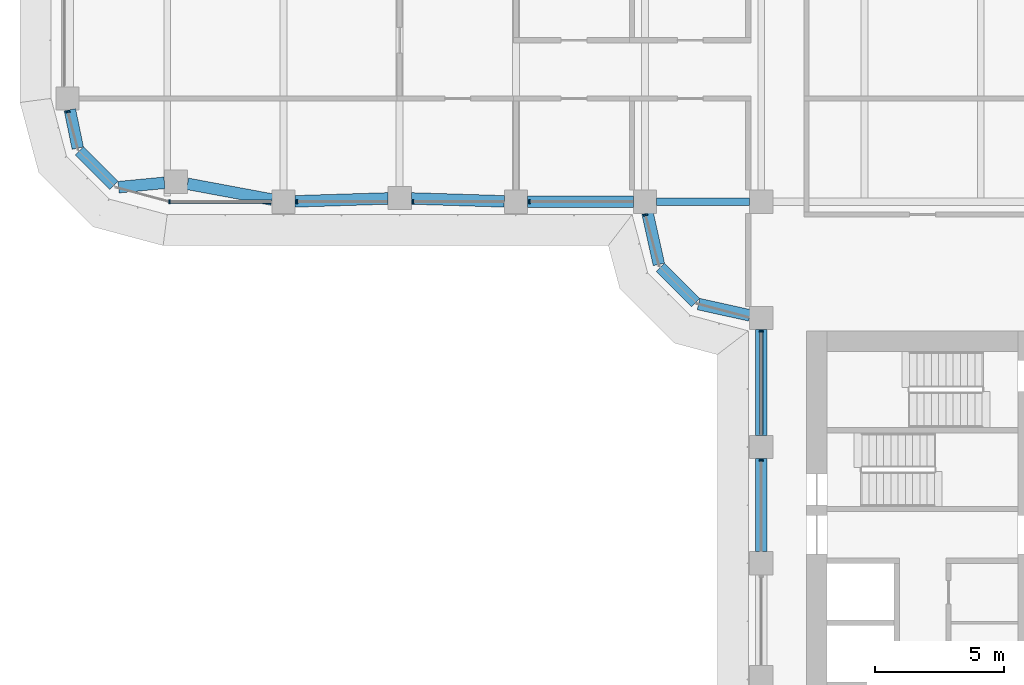
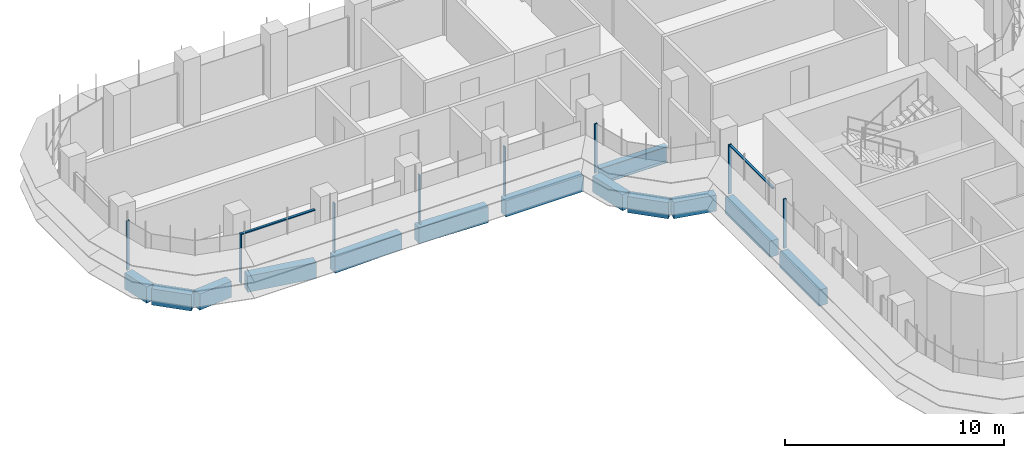
# One storey, part 3 of 22: 13 beams, 10 members, 4 elements without a shape of their own.
"""IFC4 building model written with IfcOpenShell, lengths in metres."""

import ifcopenshell
import ifcopenshell.guid

model = None  # the IFC model being written
_history = None  # IfcOwnerHistory: only IFC2X3 demands one
_inside = {}  # id of a spatial element -> (the spatial element, [elements in it])
_under = {}  # id of a project, library or spatial element -> (it, [spatial elements below it])
_declared = {}  # id of a project -> (the project, [libraries it declares])
_typed = {}  # id of a type object -> (the type object, [elements of that type])
_made_of = {}  # id of a material, layer set ... -> (it, [elements and type objects made of it])


def new_model(schema):
    """Start an empty IFC model of exactly this schema.

    Asked for "IFC4X3", IfcOpenShell would pick the latest addendum, in which some entities
    have other attributes; the version numbers below select the first issue.
    IFC2X3 requires an IfcOwnerHistory on every rooted entity: one is made here for all.
    """
    global model, _history
    if schema == "IFC4X3":
        model = ifcopenshell.file(schema_version=(4, 3, 0, 0))
    else:
        model = ifcopenshell.file(schema=schema)
    _inside.clear()
    _under.clear()
    _declared.clear()
    _typed.clear()
    _made_of.clear()
    _history = None
    if model.schema == "IFC2X3":
        org = make("IfcOrganization", Name="unknown")
        user = make(
            "IfcPersonAndOrganization",
            ThePerson=make("IfcPerson", FamilyName="unknown"),
            TheOrganization=org,
        )
        app = make(
            "IfcApplication",
            ApplicationDeveloper=org,
            Version="unknown",
            ApplicationFullName="unknown",
            ApplicationIdentifier="unknown",
        )
        _history = make(
            "IfcOwnerHistory",
            OwningUser=user,
            OwningApplication=app,
            ChangeAction="ADDED",
            CreationDate=0,
        )
    return model


def make(cls, **values):
    """One entity of the class cls with the attributes given. An attribute that is None is left unset."""
    return model.create_entity(
        cls, **{name: value for name, value in values.items() if value is not None}
    )


def rooted(cls, **values):
    """An entity with a GlobalId (a new one), such as an element, a storey or a relation."""
    return make(cls, GlobalId=ifcopenshell.guid.new(), OwnerHistory=_history, **values)


def si_unit(unit_type, name, prefix=None):
    """IfcSIUnit, for example si_unit("LENGTHUNIT", "METRE", prefix="MILLI")."""
    return make("IfcSIUnit", UnitType=unit_type, Prefix=prefix, Name=name)


def assignment(units):
    """IfcUnitAssignment: the units of a project."""
    return None if units is None else make("IfcUnitAssignment", Units=units)


def point(xyz):
    """IfcCartesianPoint."""
    return None if xyz is None else make("IfcCartesianPoint", Coordinates=xyz)


def direction(xyz):
    """IfcDirection."""
    return None if xyz is None else make("IfcDirection", DirectionRatios=xyz)


def frame(location, z_axis=None, x_axis=None):
    """IfcAxis2Placement3D, a coordinate frame: its origin and axes. An axis left out is left unset."""
    return make(
        "IfcAxis2Placement3D",
        Location=point(location),
        Axis=direction(z_axis),
        RefDirection=direction(x_axis),
    )


def frame_2d(location, x_axis=None):
    """IfcAxis2Placement2D, a coordinate frame in the plane: its origin and x axis."""
    return make(
        "IfcAxis2Placement2D", Location=point(location), RefDirection=direction(x_axis)
    )


def origin():
    """The frame at (0, 0, 0) with its axes left unset."""
    return frame((0.0, 0.0, 0.0))


def origin_2d():
    """The frame at (0, 0) in the plane with its x axis left unset."""
    return frame_2d((0.0, 0.0))


def place(relative_to, where):
    """IfcLocalPlacement: puts the frame where relative to a parent placement (None: the world)."""
    return make(
        "IfcLocalPlacement", PlacementRelTo=relative_to, RelativePlacement=where
    )


def context(
    kind, dimensions, precision=None, world=None, true_north=None, identifier=None
):
    """IfcGeometricRepresentationContext, for example the 3D "Model" context."""
    return make(
        "IfcGeometricRepresentationContext",
        ContextIdentifier=identifier,
        ContextType=kind,
        CoordinateSpaceDimension=dimensions,
        Precision=precision,
        WorldCoordinateSystem=world,
        TrueNorth=true_north,
    )


def subcontext(parent, identifier, kind, view, scale=None):
    """IfcGeometricRepresentationSubContext, for example "Body" below "Model"."""
    return make(
        "IfcGeometricRepresentationSubContext",
        ContextIdentifier=identifier,
        ContextType=kind,
        ParentContext=parent,
        TargetScale=scale,
        TargetView=view,
    )


def project(units=None, contexts=None):
    """IfcProject with its units and contexts."""
    return rooted(
        "IfcProject",
        Name="project",
        RepresentationContexts=contexts,
        UnitsInContext=assignment(units),
    )


def spatial(cls, under=None, at=None, **own):
    """A site, building, storey or space (cls), placed at a placement, below another one or the project."""
    s = rooted(cls, ObjectPlacement=at, **own)
    if under is not None:
        _under.setdefault(under.id(), (under, []))[1].append(s)
    return s


def polyline(points):
    """IfcPolyline through the points."""
    return make("IfcPolyline", Points=[point(p) for p in points])


def profile(cls, at=None, kind="AREA", **sizes):
    """A parametric profile (cls). Its sizes go by their IFC names, for example OverallWidth=200.0."""
    return make(cls, ProfileType=kind, Position=at, **sizes)


def rectangle(**sizes):
    """IfcRectangleProfileDef."""
    return profile("IfcRectangleProfileDef", **sizes)


def i_section(**sizes):
    """IfcIShapeProfileDef."""
    return profile("IfcIShapeProfileDef", **sizes)


def outline(outer, holes=None, kind="AREA"):
    """IfcArbitraryClosedProfileDef: a profile drawn as a closed curve; with holes, ...WithVoids."""
    if holes is None:
        return make("IfcArbitraryClosedProfileDef", ProfileType=kind, OuterCurve=outer)
    return make(
        "IfcArbitraryProfileDefWithVoids",
        ProfileType=kind,
        OuterCurve=outer,
        InnerCurves=holes,
    )


def extrude(swept, where, along, depth):
    """IfcExtrudedAreaSolid: the profile swept, set in the frame where, extruded along a direction by depth."""
    return make(
        "IfcExtrudedAreaSolid",
        SweptArea=swept,
        Position=where,
        ExtrudedDirection=direction(along),
        Depth=depth,
    )


def shape(context_of_items, identifier, shape_type, items):
    """IfcShapeRepresentation: the items that make up one representation, for example the "Body"."""
    return make(
        "IfcShapeRepresentation",
        ContextOfItems=context_of_items,
        RepresentationIdentifier=identifier,
        RepresentationType=shape_type,
        Items=items,
    )


def source(mapping_origin, context_of_items, identifier, shape_type, items):
    """IfcRepresentationMap: a shape defined once, which mapped items show again and again."""
    return make(
        "IfcRepresentationMap",
        MappingOrigin=mapping_origin,
        MappedRepresentation=shape(context_of_items, identifier, shape_type, items),
    )


def transform(
    local_origin,
    x_axis=None,
    y_axis=None,
    z_axis=None,
    scale=None,
    scale2=None,
    scale3=None,
    uniform=True,
):
    """IfcCartesianTransformationOperator3D, or its non-uniform kind. x_axis, y_axis, z_axis: its Axis1, 2, 3."""
    if uniform:
        return make(
            "IfcCartesianTransformationOperator3D",
            Axis1=direction(x_axis),
            Axis2=direction(y_axis),
            LocalOrigin=point(local_origin),
            Scale=scale,
            Axis3=direction(z_axis),
        )
    return make(
        "IfcCartesianTransformationOperator3DnonUniform",
        Axis1=direction(x_axis),
        Axis2=direction(y_axis),
        LocalOrigin=point(local_origin),
        Scale=scale,
        Axis3=direction(z_axis),
        Scale2=scale2,
        Scale3=scale3,
    )


def mapped(mapping_source, mapping_target):
    """IfcMappedItem: shows the shape of a source again, moved by a transform."""
    return make(
        "IfcMappedItem", MappingSource=mapping_source, MappingTarget=mapping_target
    )


def material(Name=None, Category=None):
    """IfcMaterial."""
    return make("IfcMaterial", Name=Name, Category=Category)


def material_profile(
    of_material, cross_section, Name=None, Category=None, Priority=None
):
    """IfcMaterialProfile: a cross section and its material."""
    return make(
        "IfcMaterialProfile",
        Name=Name,
        Material=of_material,
        Profile=cross_section,
        Priority=Priority,
        Category=Category,
    )


def profile_set(profiles, Name=None, composite=None):
    """IfcMaterialProfileSet."""
    return make(
        "IfcMaterialProfileSet",
        Name=Name,
        MaterialProfiles=profiles,
        CompositeProfile=composite,
    )


def made_of(thing, what):
    """Note that an element or type object is made of a material, layer set ...; save() writes the relation."""
    if what is not None:
        _made_of.setdefault(what.id(), (what, []))[1].append(thing)
    return thing


def type_object(cls, material=None, **own):
    """A type object (cls), such as IfcWallType, which elements share."""
    return made_of(rooted(cls, **own), material)


def element(
    cls,
    number,
    at=None,
    inside=None,
    cuts=None,
    type_object=None,
    material=None,
    context=None,
    identifier="Body",
    shape_type=None,
    held_by="IfcProductDefinitionShape",
    body=None,
    shapes=None,
    **own,
):
    """One element of the class cls, such as IfcWall. Its Tag is "e" and its number.

    at: its placement. inside: the storey or other place that contains it. cuts: it is an
    opening in that element (IfcRelVoidsElement). A single representation is given by context,
    identifier, shape_type and body (its items); several are given by shapes. held_by: the class
    of the entity that holds the representations. save() writes the other relations.
    """
    e = rooted(cls, Tag="e%d" % number, ObjectPlacement=at, **own)
    if body is not None:
        shapes = [shape(context, identifier, shape_type, body)]
    if shapes is not None:
        e.Representation = make(held_by, Representations=shapes)
    if inside is not None:
        _inside.setdefault(inside.id(), (inside, []))[1].append(e)
    if cuts is not None:
        rooted(
            "IfcRelVoidsElement", RelatingBuildingElement=cuts, RelatedOpeningElement=e
        )
    if type_object is not None:
        _typed.setdefault(type_object.id(), (type_object, []))[1].append(e)
    return made_of(e, material)


def aggregate(whole, parts):
    """IfcRelAggregates: a whole, such as a stair, and the parts it consists of."""
    return rooted("IfcRelAggregates", RelatingObject=whole, RelatedObjects=parts)


def save(model, path):
    """Write the relations noted so far, then the file.

    IfcRelAggregates (storeys below a building ...), IfcRelContainedInSpatialStructure (elements
    in a storey), IfcRelDefinesByType, IfcRelAssociatesMaterial and IfcRelDeclares: one each for
    every whole, place, type object, material and project.
    """
    for whole, parts in _under.values():
        aggregate(whole, parts)
    for where, things in _inside.values():
        rooted(
            "IfcRelContainedInSpatialStructure",
            RelatedElements=things,
            RelatingStructure=where,
        )
    for kind, things in _typed.values():
        rooted("IfcRelDefinesByType", RelatedObjects=things, RelatingType=kind)
    for what, things in _made_of.values():
        rooted("IfcRelAssociatesMaterial", RelatedObjects=things, RelatingMaterial=what)
    for by, libraries in _declared.values():
        rooted("IfcRelDeclares", RelatingContext=by, RelatedDefinitions=libraries)
    model.write(path)


model = new_model("IFC4")

# Units and contexts
model_context = context("Model", 3, precision=1e-05, world=origin(), true_north=direction((0.0, 1.0)))
body_context = subcontext(model_context, "Body", "Model", "MODEL_VIEW")
ifc_project = project(units=[si_unit("LENGTHUNIT", "METRE"), si_unit("AREAUNIT", "SQUARE_METRE"), si_unit("VOLUMEUNIT", "CUBIC_METRE"), si_unit("PLANEANGLEUNIT", "RADIAN"), si_unit("MASSUNIT", "GRAM", prefix="KILO")], contexts=[model_context])

# Site, building, storey
site_placement = place(None, origin())
site = spatial("IfcSite", under=ifc_project, at=site_placement, CompositionType="ELEMENT")
building_placement = place(site_placement, origin())
building = spatial("IfcBuilding", under=site, at=building_placement, Name="Zarbagh Exchange Tower", CompositionType="ELEMENT")
storey_placement = place(building_placement, frame((0.0, 0.0, 124.60009765625)))
storey = spatial("IfcBuildingStorey", under=building, at=storey_placement, Name="L29", CompositionType="ELEMENT", Elevation=124.60009765625)

# Beams
ifc_material_1 = material(Name="Steel ASTM A992 Gr 50", Category="steel")
ifc_material_profile_1 = material_profile(ifc_material_1, i_section(OverallWidth=0.3046875, OverallDepth=0.911865234375, WebThickness=0.015869140625, FlangeThickness=0.02392578125, at=origin_2d()), Name="W36X150")
ifc_profile_set_1 = profile_set([ifc_material_profile_1], Name="Steel ASTM A992 Gr 50")
beam_type_1 = type_object("IfcBeamType", Name="Floor girder W36X150", PredefinedType="BEAM", material=ifc_profile_set_1)
beam_1_placement = place(storey_placement, frame((-10.300048828125, -6.25, -0.60595703125), z_axis=(1.0, 0.0, 0.0), x_axis=(0.0, 1.0, 0.0)))
element("IfcBeam", 1, at=beam_1_placement, inside=storey, type_object=beam_type_1, Name="Steel girder", PredefinedType="BEAM", context=body_context, shape_type="SweptSolid", body=[
    extrude(i_section(OverallWidth=0.3046875, OverallDepth=0.911865234375, WebThickness=0.015869140625, FlangeThickness=0.02392578125, at=origin_2d()), origin(), (0.0, 0.0, 1.0), 3.60009765625),
])
ifc_material_2 = material(Name="Concrete C60/75", Category="concrete")
ifc_material_profile_2 = material_profile(ifc_material_2, rectangle(XDim=0.449951171875, YDim=0.89990234375, at=origin_2d()), Name="RC spandrel beam 450 x 900 C60/75")
ifc_profile_set_2 = profile_set([ifc_material_profile_2], Name="Concrete C60/75")
beam_type_2 = type_object("IfcBeamType", Name="RC spandrel beam 450 x 900 C60/75", PredefinedType="SPANDREL", material=ifc_profile_set_2)
beam_2_placement = place(storey_placement, frame((-6.25, -19.800048828125, -0.60009765625), z_axis=(0.0, 1.0, 0.0), x_axis=(-1.0, 0.0, 0.0)))
element("IfcBeam", 2, at=beam_2_placement, inside=storey, type_object=beam_type_2, Name="RC spandrel beam", PredefinedType="SPANDREL", context=body_context, shape_type="SweptSolid", body=[
    extrude(rectangle(XDim=0.449951171875, YDim=0.89990234375, at=origin_2d()), origin(), (0.0, 0.0, 1.0), 3.60009765625),
])
beam_3_placement = place(storey_placement, frame((-6.25, -15.300048828125, -0.60009765625), z_axis=(0.0, 1.0, 0.0), x_axis=(-1.0, 0.0, 0.0)))
element("IfcBeam", 3, at=beam_3_placement, inside=storey, type_object=beam_type_2, Name="RC spandrel beam", PredefinedType="SPANDREL", context=body_context, shape_type="SweptSolid", body=[
    extrude(rectangle(XDim=0.449951171875, YDim=0.89990234375, at=origin_2d()), origin(), (0.0, 0.0, 1.0), 4.10009765625),
])
beam_4_placement = place(storey_placement, frame((-6.689453125, -10.65283203125, -0.60009765625), z_axis=(-0.976367325525, 0.216117666208, 0.0), x_axis=(-0.216117666208, -0.976367325525, 0.0)))
element("IfcBeam", 4, at=beam_4_placement, inside=storey, type_object=beam_type_2, Name="RC spandrel beam", PredefinedType="SPANDREL", context=body_context, shape_type="SweptSolid", body=[
    extrude(rectangle(XDim=0.449951171875, YDim=0.89990234375, at=origin_2d()), origin(), (0.0, 0.0, 1.0), 2.03564453125),
])
beam_5_placement = place(storey_placement, frame((-8.78759765625, -10.15234375, -0.60009765625), z_axis=(-0.707106781187, 0.707106781187, 0.0), x_axis=(-0.707106781187, -0.707106781187, 0.0)))
element("IfcBeam", 5, at=beam_5_placement, inside=storey, type_object=beam_type_2, Name="RC spandrel beam", PredefinedType="SPANDREL", context=body_context, shape_type="SweptSolid", body=[
    extrude(rectangle(XDim=0.449951171875, YDim=0.89990234375, at=origin_2d()), origin(), (0.0, 0.0, 1.0), 1.929931640625),
])
beam_6_placement = place(storey_placement, frame((-10.212890625, -8.677001953125, -0.60009765625), z_axis=(-0.216117666208, 0.976367325525, 0.0), x_axis=(-0.976367325525, -0.216117666208, 0.0)))
element("IfcBeam", 6, at=beam_6_placement, inside=storey, type_object=beam_type_2, Name="RC spandrel beam", PredefinedType="SPANDREL", context=body_context, shape_type="SweptSolid", body=[
    extrude(rectangle(XDim=0.449951171875, YDim=0.89990234375, at=origin_2d()), origin(), (0.0, 0.0, 1.0), 2.03564453125),
])
beam_7_placement = place(storey_placement, frame((-11.199951171875, -6.25, -0.60009765625), z_axis=(-1.0, 0.0, 0.0), x_axis=(0.0, -1.0, 0.0)))
element("IfcBeam", 7, at=beam_7_placement, inside=storey, type_object=beam_type_2, Name="RC spandrel beam", PredefinedType="SPANDREL", context=body_context, shape_type="SweptSolid", body=[
    extrude(rectangle(XDim=0.449951171875, YDim=0.89990234375, at=origin_2d()), origin(), (0.0, 0.0, 1.0), 4.10009765625),
])
for number, where, z_axis, x_axis, name in (
    (8, (-16.19970703125, -6.236083984375, -0.60009765625), (-0.999516035224, 0.031107801747, 0.0), (-0.031107801747, -0.999516035224, 0.0), "RC spandrel beam"),
    (9, (-20.69970703125, -6.1240234375, -0.60009765625), (-0.999516035224, -0.031107801747, 0.0), (0.031107801747, -0.999516035224, 0.0), "RC spandrel beam"),
):
    element("IfcBeam", number, at=place(storey_placement, frame(where, z_axis=z_axis, x_axis=x_axis)), inside=storey, type_object=beam_type_2, Name=name, PredefinedType="SPANDREL", context=body_context, shape_type="SweptSolid", body=[
        extrude(rectangle(XDim=0.449951171875, YDim=0.89990234375, at=origin_2d()), origin(), (0.0, 0.0, 1.0), 3.602294921875),
    ])
beam_8_placement = place(storey_placement, frame((-25.1923828125, -6.16748046875, -0.60009765625), z_axis=(-0.98308156541, 0.183168326277, 0.0), x_axis=(-0.183168326277, -0.98308156541, 0.0)))
element("IfcBeam", 10, at=beam_8_placement, inside=storey, type_object=beam_type_2, Name="RC spandrel beam", PredefinedType="SPANDREL", context=body_context, shape_type="SweptSolid", body=[
    extrude(rectangle(XDim=0.449951171875, YDim=0.89990234375, at=origin_2d()), origin(), (0.0, 0.0, 1.0), 3.32958984375),
])
beam_9_placement = place(storey_placement, frame((-29.35595703125, -5.51806640625, -0.60009765625), z_axis=(-0.995433267802, -0.095459988228, 0.0), x_axis=(0.095459988228, -0.995433267802, 0.0)))
element("IfcBeam", 11, at=beam_9_placement, inside=storey, type_object=beam_type_2, Name="RC spandrel beam", PredefinedType="SPANDREL", context=body_context, shape_type="SweptSolid", body=[
    extrude(rectangle(XDim=0.449951171875, YDim=0.89990234375, at=origin_2d()), origin(), (0.0, 0.0, 1.0), 1.78759765625),
])
beam_10_placement = place(storey_placement, frame((-31.316162109375, -5.623779296875, -0.60009765625), z_axis=(-0.707106781187, 0.707106781187, 0.0), x_axis=(-0.707106781187, -0.707106781187, 0.0)))
element("IfcBeam", 12, at=beam_10_placement, inside=storey, type_object=beam_type_2, Name="RC spandrel beam", PredefinedType="SPANDREL", context=body_context, shape_type="SweptSolid", body=[
    extrude(rectangle(XDim=0.449951171875, YDim=0.89990234375, at=origin_2d()), origin(), (0.0, 0.0, 1.0), 1.887939453125),
])
beam_11_placement = place(storey_placement, frame((-32.71240234375, -4.17529296875, -0.60009765625), z_axis=(-0.202275417995, 0.979328675816, 0.0), x_axis=(-0.979328675816, -0.202275417995, 0.0)))
element("IfcBeam", 13, at=beam_11_placement, inside=storey, type_object=beam_type_2, Name="RC spandrel beam", PredefinedType="SPANDREL", context=body_context, shape_type="SweptSolid", body=[
    extrude(rectangle(XDim=0.449951171875, YDim=0.89990234375, at=origin_2d()), origin(), (0.0, 0.0, 1.0), 1.515869140625),
])

# Curtain wall, member
ifc_material_3 = material(Name="Anodised aluminium frame and glazing", Category="aluminium")
curtain_wall_type = type_object("IfcCurtainWallType", Name="CWA Ribbon glazing, lower zones", PredefinedType="NOTDEFINED", material=ifc_material_3)
curtain_wall_1_placement = place(storey_placement, origin())
curtain_wall_1 = element("IfcCurtainWall", 14, at=curtain_wall_1_placement, inside=storey, type_object=curtain_wall_type, Name="CWA37 curtain wall", PredefinedType="NOTDEFINED")
ifc_material_4 = material(Name="Anodised aluminium frame", Category="aluminium")
member_type_1 = type_object("IfcMemberType", Name="MUA Mullion, anodised aluminium frame", PredefinedType="MULLION", material=ifc_material_4)
shared_shape_1 = source(origin(), body_context, "Body", "SweptSolid", [
    extrude(outline(polyline([(0.0, -0.080078125), (0.06005859375, -0.080078125), (0.06005859375, 0.080078125), (0.0, 0.080078125), (0.0, -0.080078125)])), origin(), (0.0, 0.0, 1.0), 2.75),
])
placement = place(storey_placement, origin())
member_1 = element("IfcMember", 15, at=placement, type_object=member_type_1, Name="CWA37 mullion 1.1", PredefinedType="MULLION", context=body_context, shape_type="MappedRepresentation", body=[
    mapped(shared_shape_1, transform((-33.10107421875, -2.739990234375, 0.0), x_axis=(0.258824779902, -0.965924289636, 0.0), y_axis=(0.965924289636, 0.258824779902, 0.0), z_axis=(0.0, 0.0, 1.0))),
])
aggregate(curtain_wall_1, [member_1])

# Curtain wall, members
curtain_wall_2_placement = place(storey_placement, origin())
curtain_wall_2 = element("IfcCurtainWall", 16, at=curtain_wall_2_placement, inside=storey, type_object=curtain_wall_type, Name="CWA40 curtain wall", PredefinedType="NOTDEFINED")
member_2 = element("IfcMember", 17, at=placement, type_object=member_type_1, Name="CWA40 mullion 1.1", PredefinedType="MULLION", context=body_context, shape_type="MappedRepresentation", body=[
    mapped(shared_shape_1, transform((-29.18408203125, -6.25, 0.0), x_axis=(1.0, 0.0, 0.0), y_axis=(0.0, 1.0, 0.0), z_axis=(0.0, 0.0, 1.0))),
])
member_3 = element("IfcMember", 18, at=placement, type_object=member_type_1, Name="CWA40 mullion 2.1", PredefinedType="MULLION", context=body_context, shape_type="MappedRepresentation", body=[
    mapped(shared_shape_1, transform((-24.260009765625, -6.25, 0.0), x_axis=(1.0, 0.0, 0.0), y_axis=(0.0, 1.0, 0.0), z_axis=(0.0, 0.0, 1.0))),
])
member_4 = element("IfcMember", 19, at=placement, type_object=member_type_1, Name="CWA40 mullion 3.1", PredefinedType="MULLION", context=body_context, shape_type="MappedRepresentation", body=[
    mapped(shared_shape_1, transform((-19.760009765625, -6.25, 0.0), x_axis=(1.0, 0.0, 0.0), y_axis=(0.0, 1.0, 0.0), z_axis=(0.0, 0.0, 1.0))),
])
member_5 = element("IfcMember", 20, at=placement, type_object=member_type_1, Name="CWA40 mullion 4.1", PredefinedType="MULLION", context=body_context, shape_type="MappedRepresentation", body=[
    mapped(shared_shape_1, transform((-15.260009765625, -6.25, 0.0), x_axis=(1.0, 0.0, 0.0), y_axis=(0.0, 1.0, 0.0), z_axis=(0.0, 0.0, 1.0))),
])

# Curtain wall, member
curtain_wall_3_placement = place(storey_placement, origin())
curtain_wall_3 = element("IfcCurtainWall", 21, at=curtain_wall_3_placement, inside=storey, type_object=curtain_wall_type, Name="CWA41 curtain wall", PredefinedType="NOTDEFINED")
member_6 = element("IfcMember", 22, at=placement, type_object=member_type_1, Name="CWA41 mullion 1.1", PredefinedType="MULLION", context=body_context, shape_type="MappedRepresentation", body=[
    mapped(shared_shape_1, transform((-10.735107421875, -6.739990234375, 0.0), x_axis=(0.258824779902, -0.965924289636, 0.0), y_axis=(0.965924289636, 0.258824779902, 0.0), z_axis=(0.0, 0.0, 1.0))),
])
aggregate(curtain_wall_3, [member_6])

# Curtain wall, members
curtain_wall_4_placement = place(storey_placement, origin())
curtain_wall_4 = element("IfcCurtainWall", 23, at=curtain_wall_4_placement, inside=storey, type_object=curtain_wall_type, Name="CWA44 curtain wall", PredefinedType="NOTDEFINED")
member_7 = element("IfcMember", 24, at=placement, type_object=member_type_1, Name="CWA44 mullion 1.1", PredefinedType="MULLION", context=body_context, shape_type="MappedRepresentation", body=[
    mapped(shared_shape_1, transform((-6.25, -11.239990234375, 0.0), x_axis=(0.0, -1.0, 0.0), y_axis=(1.0, 0.0, 0.0), z_axis=(0.0, 0.0, 1.0))),
])
member_8 = element("IfcMember", 25, at=placement, type_object=member_type_1, Name="CWA44 mullion 2.1", PredefinedType="MULLION", context=body_context, shape_type="MappedRepresentation", body=[
    mapped(shared_shape_1, transform((-6.25, -16.239990234375, 0.0), x_axis=(0.0, -1.0, 0.0), y_axis=(1.0, 0.0, 0.0), z_axis=(0.0, 0.0, 1.0))),
])
member_type_2 = type_object("IfcMemberType", Name="TRA Transom, anodised aluminium frame", PredefinedType="USERDEFINED", material=ifc_material_4)
shared_shape_2 = source(origin(), body_context, "Body", "SweptSolid", [
    extrude(outline(polyline([(-0.06005859375, -0.06005859375), (0.0, -0.06005859375), (0.0, 0.06005859375), (-0.06005859375, 0.06005859375), (-0.06005859375, -0.06005859375)])), origin(), (0.0, 0.0, 1.0), 3.9599609375),
])
member_9 = element("IfcMember", 26, at=placement, type_object=member_type_2, Name="CWA44 transom 1.1", ObjectType="TRANSOM", PredefinedType="USERDEFINED", context=body_context, shape_type="MappedRepresentation", body=[
    mapped(shared_shape_2, transform((-6.25, -11.300048828125, 2.75), x_axis=(0.0, 0.0, 1.0), y_axis=(-1.0, 0.0, 0.0), z_axis=(0.0, -1.0, 0.0))),
])
aggregate(curtain_wall_4, [member_7, member_9, member_8])

# Member
shared_shape_3 = source(origin(), body_context, "Body", "SweptSolid", [
    extrude(outline(polyline([(-0.06005859375, -0.06005859375), (0.0, -0.06005859375), (0.0, 0.06005859375), (-0.06005859375, 0.06005859375), (-0.06005859375, -0.06005859375)])), origin(), (0.0, 0.0, 1.0), 3.88427734375),
])
member_10 = element("IfcMember", 27, at=placement, type_object=member_type_2, Name="CWA40 transom 1.1", ObjectType="TRANSOM", PredefinedType="USERDEFINED", context=body_context, shape_type="MappedRepresentation", body=[
    mapped(shared_shape_3, transform((-29.124267578125, -6.25, 2.75), x_axis=(0.0, 0.0, 1.0), y_axis=(0.0, -1.0, 0.0), z_axis=(1.0, 0.0, 0.0))),
])

aggregate(curtain_wall_2, [member_2, member_10, member_3, member_4, member_5])

save(model, "model.ifc")
